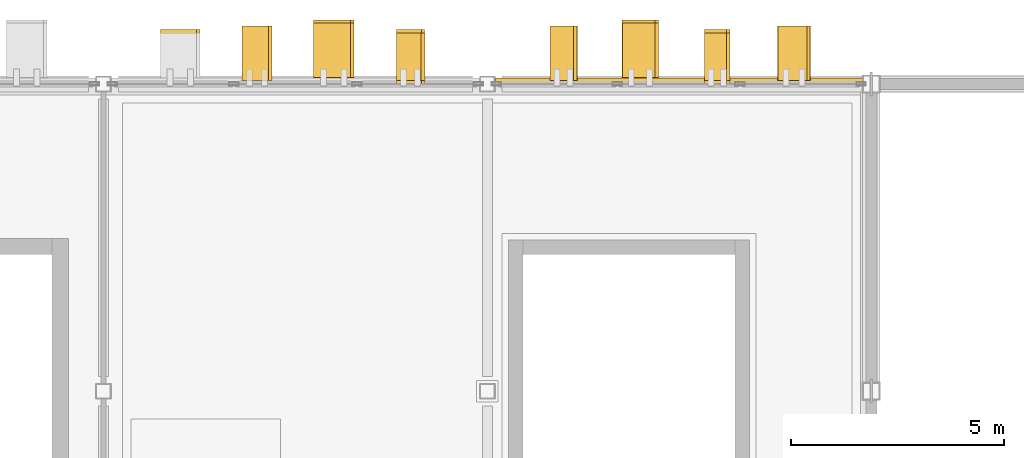
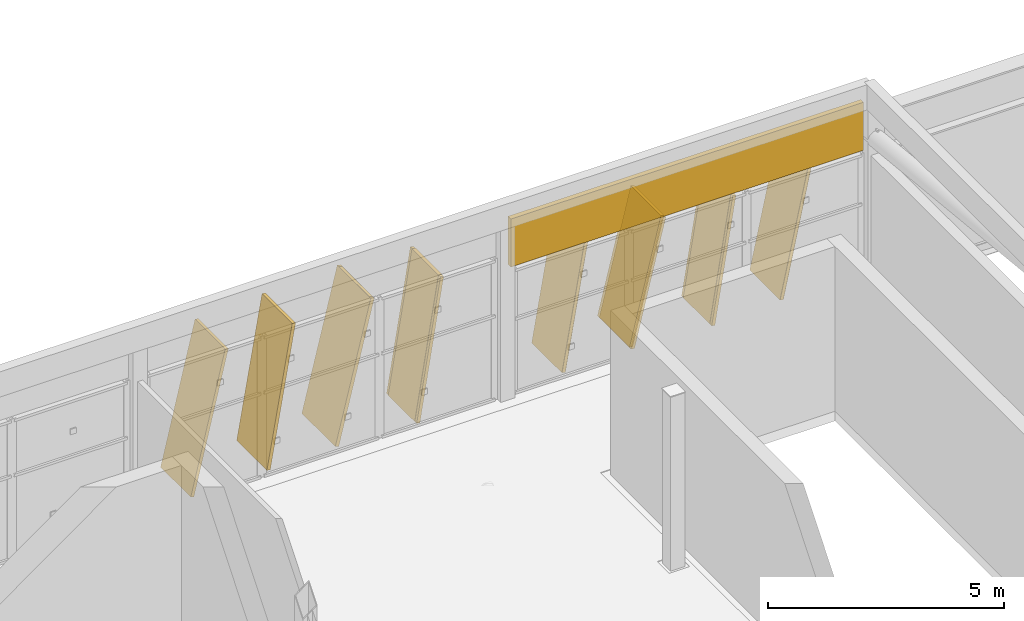
# One storey, part 124 of 124: 8 coverings, 8 shading devices.
"""IFC4 building model written with IfcOpenShell, lengths in metres."""

from ifc_helpers import new_model, si_unit, direction, frame, origin, origin_2d, place, context, subcontext, project, spatial, rectangle, extrude, material, layer, layer_set, material_profile, profile_set, type_object, element, save


model = new_model("IFC4")

# Units and contexts
model_context = context("Model", 3, precision=1e-05, world=origin(), true_north=direction((0.0, 1.0)))
body_context = subcontext(model_context, "Body", "Model", "MODEL_VIEW")
ifc_project = project(units=[si_unit("LENGTHUNIT", "METRE"), si_unit("AREAUNIT", "SQUARE_METRE"), si_unit("VOLUMEUNIT", "CUBIC_METRE"), si_unit("PLANEANGLEUNIT", "RADIAN"), si_unit("MASSUNIT", "GRAM", prefix="KILO")], contexts=[model_context])

# Site, building, storey
site_placement = place(None, origin())
site = spatial("IfcSite", under=ifc_project, at=site_placement, CompositionType="ELEMENT")
building_placement = place(site_placement, origin())
building = spatial("IfcBuilding", under=site, at=building_placement, Name="Celestram Park Convention Centre", CompositionType="ELEMENT")
storey_placement = place(building_placement, frame((0.0, 0.0, 15.300048828125)))
storey = spatial("IfcBuildingStorey", under=building, at=storey_placement, Name="L03", CompositionType="ELEMENT", Elevation=15.300048828125)

# Coverings
ifc_material_1 = material(Name="Anodised Bronze Aluminium Spandrel Cladding", Category="aluminium")
ifc_layer = layer(ifc_material_1, 0.050048828125)
ifc_layer_set = layer_set([ifc_layer], Name="Anodised Bronze Aluminium Spandrel Cladding")
covering_type_1 = type_object("IfcCoveringType", Name="ARC-COV-CLD060", PredefinedType="CLADDING", material=ifc_layer_set)
covering_1_placement = place(storey_placement, frame((148.5, 165.679931640625, 3.2587890625), z_axis=(0.0, 0.0, 1.0), x_axis=(1.0, 0.0, 0.0)))
element("IfcCovering", 1, at=covering_1_placement, inside=storey, type_object=covering_type_1, Name="Bronze spandrel cladding CL-L03-215", PredefinedType="CLADDING", context=body_context, shape_type="SweptSolid", body=[
    extrude(rectangle(XDim=8.62890625, YDim=0.1201171875, at=origin_2d()), origin(), (0.0, 0.0, 1.0), 1.240966796875),
])
ifc_material_2 = material(Name="Timber-Toned Anodised Aluminium Alloy 6063-T6", Category="wood")
ifc_material_profile_1 = material_profile(ifc_material_2, rectangle(XDim=1.1201171875, YDim=0.090087890625, at=origin_2d()), Name="REED1120X90")
ifc_profile_set_1 = profile_set([ifc_material_profile_1], Name="Timber-Toned Anodised Aluminium Alloy 6063-T6")
covering_type_2 = type_object("IfcCoveringType", Name="ARC-COV-FIN1120", PredefinedType="CLADDING", material=ifc_profile_set_1)
covering_2_placement = place(storey_placement, frame((141.9091796875, 166.239990234375, 0.0283203125), z_axis=(0.159848483968, 0.0, 0.987141561364), x_axis=(0.0, 1.0, 0.0)))
element("IfcCovering", 2, at=covering_2_placement, inside=storey, type_object=covering_type_2, Name="Leaning timber-toned reed fin RFN-L03-0684", PredefinedType="CLADDING", context=body_context, shape_type="SweptSolid", body=[
    extrude(rectangle(XDim=1.1201171875, YDim=0.090087890625, at=origin_2d()), origin(), (0.0, 0.0, 1.0), 3.63818359375),
])
covering_3_placement = place(storey_placement, frame((149.12939453125, 166.239990234375, 0.025634765625), z_axis=(0.159836202868, 0.0, 0.987143549973), x_axis=(0.0, 1.0, 0.0)))
element("IfcCovering", 3, at=covering_3_placement, inside=storey, type_object=covering_type_2, Name="Leaning timber-toned reed fin RFN-L03-0687", PredefinedType="CLADDING", context=body_context, shape_type="SweptSolid", body=[
    extrude(rectangle(XDim=1.1201171875, YDim=0.090087890625, at=origin_2d()), origin(), (0.0, 0.0, 1.0), 3.22900390625),
])
ifc_material_profile_2 = material_profile(ifc_material_2, rectangle(XDim=1.280029296875, YDim=0.090087890625, at=origin_2d()), Name="REED1280X90")
ifc_profile_set_2 = profile_set([ifc_material_profile_2], Name="Timber-Toned Anodised Aluminium Alloy 6063-T6")
covering_type_3 = type_object("IfcCoveringType", Name="ARC-COV-FIN1280", PredefinedType="CLADDING", material=ifc_profile_set_2)
covering_4_placement = place(storey_placement, frame((138.290283203125, 166.320068359375, 0.031494140625), z_axis=(0.170250733232, 0.0, 0.985400775235), x_axis=(0.0, 1.0, 0.0)))
element("IfcCovering", 4, at=covering_4_placement, inside=storey, type_object=covering_type_3, Name="Leaning timber-toned reed fin RFN-L03-0682", PredefinedType="CLADDING", context=body_context, shape_type="SweptSolid", body=[
    extrude(rectangle(XDim=1.280029296875, YDim=0.090087890625, at=origin_2d()), origin(), (0.0, 0.0, 1.0), 3.63818359375),
])
for number, where, z_axis, x_axis, name in (
    (5, (145.5126953125, 166.320068359375, 0.028564453125), (0.170195549982, 0.0, 0.985410307824), (0.0, 1.0, 0.0), "Leaning timber-toned reed fin RFN-L03-0685"),
    (6, (150.84912109375, 166.320068359375, 0.040771484375), (0.209591051666, 0.0, 0.977789134252), (0.0, 1.0, 0.0), "Leaning timber-toned reed fin RFN-L03-0688"),
):
    element("IfcCovering", number, at=place(storey_placement, frame(where, z_axis=z_axis, x_axis=x_axis)), inside=storey, type_object=covering_type_3, Name=name, PredefinedType="CLADDING", context=body_context, shape_type="SweptSolid", body=[
        extrude(rectangle(XDim=1.280029296875, YDim=0.090087890625, at=origin_2d()), origin(), (0.0, 0.0, 1.0), 3.22900390625),
    ])
ifc_material_profile_3 = material_profile(ifc_material_2, rectangle(XDim=1.419921875, YDim=0.090087890625, at=origin_2d()), Name="REED1420X90")
ifc_profile_set_3 = profile_set([ifc_material_profile_3], Name="Timber-Toned Anodised Aluminium Alloy 6063-T6")
covering_type_4 = type_object("IfcCoveringType", Name="ARC-COV-FIN1420", PredefinedType="CLADDING", material=ifc_profile_set_3)
covering_5_placement = place(storey_placement, frame((139.966064453125, 166.389892578125, 0.057373046875), z_axis=(0.238570259636, 0.0, 0.971125239718), x_axis=(0.0, 1.0, 0.0)))
element("IfcCovering", 7, at=covering_5_placement, inside=storey, type_object=covering_type_4, Name="Leaning timber-toned reed fin RFN-L03-0683", PredefinedType="CLADDING", context=body_context, shape_type="SweptSolid", body=[
    extrude(rectangle(XDim=1.419921875, YDim=0.090087890625, at=origin_2d()), origin(), (0.0, 0.0, 1.0), 3.637939453125),
])
covering_6_placement = place(storey_placement, frame((147.202392578125, 166.389892578125, 0.051513671875), z_axis=(0.238548504532, 0.0, 0.9711305839), x_axis=(0.0, 1.0, 0.0)))
element("IfcCovering", 8, at=covering_6_placement, inside=storey, type_object=covering_type_4, Name="Leaning timber-toned reed fin RFN-L03-0686", PredefinedType="CLADDING", context=body_context, shape_type="SweptSolid", body=[
    extrude(rectangle(XDim=1.419921875, YDim=0.090087890625, at=origin_2d()), origin(), (0.0, 0.0, 1.0), 3.22900390625),
])

# Shading devices
ifc_material_3 = material(Name="Anodised Bronze Aluminium Alloy 6063-T6", Category="aluminium")
ifc_material_profile_4 = material_profile(ifc_material_3, rectangle(XDim=1.280029296875, YDim=0.080078125, at=origin_2d()), Name="FIN1280X80")
ifc_profile_set_4 = profile_set([ifc_material_profile_4], Name="Anodised Bronze Aluminium Alloy 6063-T6")
shading_device_type = type_object("IfcShadingDeviceType", Name="ARC-FIN-BZ1280", PredefinedType="USERDEFINED", material=ifc_profile_set_4)
for number, where, z_axis, x_axis, name in (
    (9, (136.37841796875, 166.239990234375, 0.054443359375), (0.231720322485, 0.0, 0.97278244852), (0.0, 1.0, 0.0), "Expressive solar fin FN-L03-0681"),
    (10, (138.290283203125, 166.320068359375, 0.031494140625), (0.170250733232, 0.0, 0.985400775235), (0.0, 1.0, 0.0), "Expressive solar fin FN-L03-0682"),
):
    element("IfcShadingDevice", number, at=place(storey_placement, frame(where, z_axis=z_axis, x_axis=x_axis)), inside=storey, type_object=shading_device_type, Name=name, ObjectType="SOLAR_FIN", PredefinedType="USERDEFINED", context=body_context, shape_type="SweptSolid", body=[
        extrude(rectangle(XDim=1.280029296875, YDim=0.080078125, at=origin_2d()), origin(), (0.0, 0.0, 1.0), 3.63818359375),
    ])
shading_device_1_placement = place(storey_placement, frame((139.966064453125, 166.389892578125, 0.057373046875), z_axis=(0.238570259636, 0.0, 0.971125239718), x_axis=(0.0, 1.0, 0.0)))
element("IfcShadingDevice", 11, at=shading_device_1_placement, inside=storey, type_object=shading_device_type, Name="Expressive solar fin FN-L03-0683", ObjectType="SOLAR_FIN", PredefinedType="USERDEFINED", context=body_context, shape_type="SweptSolid", body=[
    extrude(rectangle(XDim=1.280029296875, YDim=0.080078125, at=origin_2d()), origin(), (0.0, 0.0, 1.0), 3.637939453125),
])
shading_device_2_placement = place(storey_placement, frame((141.9091796875, 166.239990234375, 0.0283203125), z_axis=(0.159848483968, 0.0, 0.987141561364), x_axis=(0.0, 1.0, 0.0)))
element("IfcShadingDevice", 12, at=shading_device_2_placement, inside=storey, type_object=shading_device_type, Name="Expressive solar fin FN-L03-0684", ObjectType="SOLAR_FIN", PredefinedType="USERDEFINED", context=body_context, shape_type="SweptSolid", body=[
    extrude(rectangle(XDim=1.280029296875, YDim=0.080078125, at=origin_2d()), origin(), (0.0, 0.0, 1.0), 3.63818359375),
])
for number, where, z_axis, x_axis, name in (
    (13, (145.5126953125, 166.320068359375, 0.028564453125), (0.170195549982, 0.0, 0.985410307824), (0.0, 1.0, 0.0), "Expressive solar fin FN-L03-0685"),
    (14, (147.202392578125, 166.389892578125, 0.051513671875), (0.238548504532, 0.0, 0.9711305839), (0.0, 1.0, 0.0), "Expressive solar fin FN-L03-0686"),
    (15, (149.12939453125, 166.239990234375, 0.025634765625), (0.159836202868, 0.0, 0.987143549973), (0.0, 1.0, 0.0), "Expressive solar fin FN-L03-0687"),
    (16, (150.84912109375, 166.320068359375, 0.040771484375), (0.209591051666, 0.0, 0.977789134252), (0.0, 1.0, 0.0), "Expressive solar fin FN-L03-0688"),
):
    element("IfcShadingDevice", number, at=place(storey_placement, frame(where, z_axis=z_axis, x_axis=x_axis)), inside=storey, type_object=shading_device_type, Name=name, ObjectType="SOLAR_FIN", PredefinedType="USERDEFINED", context=body_context, shape_type="SweptSolid", body=[
        extrude(rectangle(XDim=1.280029296875, YDim=0.080078125, at=origin_2d()), origin(), (0.0, 0.0, 1.0), 3.22900390625),
    ])

save(model, "model.ifc")
